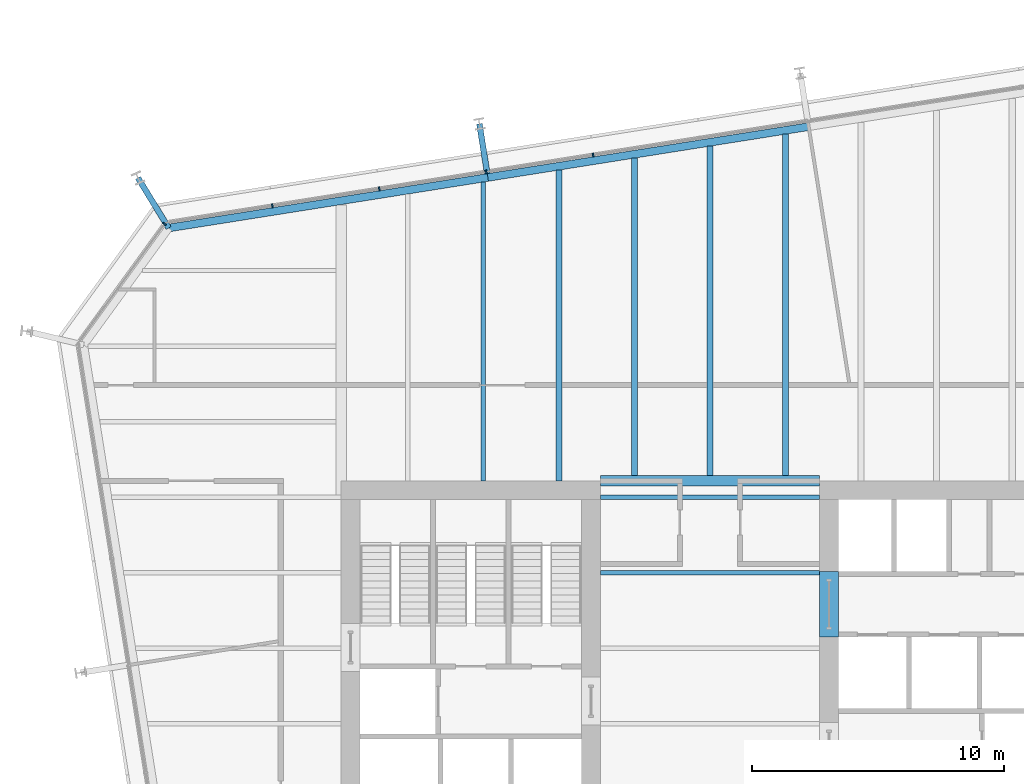
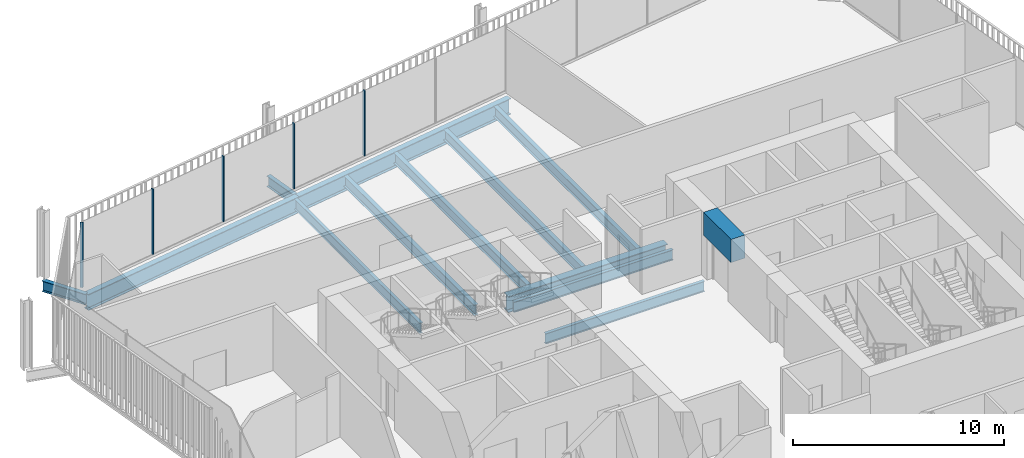
# One storey, part 11 of 21: 13 beams, 5 members, 2 elements without a shape of their own.
"""IFC4 building model written with IfcOpenShell, lengths in metres."""

from ifc_helpers import new_model, si_unit, direction, frame, origin, origin_2d, place, context, subcontext, project, spatial, rectangle, i_section, extrude, material, layer, layer_set, material_profile, profile_set, type_object, element, aggregate, save


model = new_model("IFC4")

# Units and contexts
model_context = context("Model", 3, precision=1e-05, world=origin(), true_north=direction((0.0, 1.0)))
body_context = subcontext(model_context, "Body", "Model", "MODEL_VIEW")
ifc_project = project(units=[si_unit("LENGTHUNIT", "METRE"), si_unit("AREAUNIT", "SQUARE_METRE"), si_unit("VOLUMEUNIT", "CUBIC_METRE"), si_unit("PLANEANGLEUNIT", "RADIAN"), si_unit("MASSUNIT", "GRAM", prefix="KILO")], contexts=[model_context])

# Site, building, storey
site_placement = place(None, origin())
site = spatial("IfcSite", under=ifc_project, at=site_placement, CompositionType="ELEMENT")
building_placement = place(site_placement, origin())
building = spatial("IfcBuilding", under=site, at=building_placement, Name="Millrace Tower", CompositionType="ELEMENT")
storey_placement = place(building_placement, frame((0.0, 0.0, 141.199951171875)))
storey = spatial("IfcBuildingStorey", under=building, at=storey_placement, Name="L31", CompositionType="ELEMENT", Elevation=141.199951171875)

# Curtain wall, members
ifc_material_1 = material(Name="Aluminium and glass", Category="aluminium")
ifc_layer = layer(ifc_material_1, 0.14990234375)
ifc_layer_set = layer_set([ifc_layer], Name="Aluminium and glass")
curtain_wall_type = type_object("IfcCurtainWallType", Name="CW-1 office vision curtain wall", PredefinedType="NOTDEFINED", material=ifc_layer_set)
placement = place(storey_placement, origin())
curtain_wall_1 = element("IfcCurtainWall", 1, at=placement, inside=storey, type_object=curtain_wall_type, Name="Curtain wall C-F06 L31", PredefinedType="NOTDEFINED")
ifc_material_2 = material(Name="Aluminium", Category="aluminium")
ifc_material_profile_1 = material_profile(ifc_material_2, rectangle(XDim=0.06494140625, YDim=0.14990234375, at=origin_2d()))
ifc_profile_set_1 = profile_set([ifc_material_profile_1], Name="Aluminium")
member_type = type_object("IfcMemberType", Name="CW-1 office vision curtain wall mullion", PredefinedType="MULLION", material=ifc_profile_set_1)
member_1_placement = place(storey_placement, frame((-4.6435546875, 22.59326171875, 0.14013671875), z_axis=(0.0, 0.0, 1.0), x_axis=(-0.98768833929, -0.15643447328, 0.0)))
member_1 = element("IfcMember", 2, at=member_1_placement, type_object=member_type, Name="CW1 mullion C-F06.6", PredefinedType="MULLION", context=body_context, shape_type="SweptSolid", body=[
    extrude(rectangle(XDim=0.06494140625, YDim=0.14990234375, at=origin_2d()), origin(), (0.0, 0.0, 1.0), 3.760009765625),
])
member_2_placement = place(storey_placement, frame((-8.890625, 21.920654296875, 0.14013671875), z_axis=(0.0, 0.0, 1.0), x_axis=(-0.98768833929, -0.15643447328, 0.0)))
member_2 = element("IfcMember", 3, at=member_2_placement, type_object=member_type, Name="CW1 mullion C-F06.7", PredefinedType="MULLION", context=body_context, shape_type="SweptSolid", body=[
    extrude(rectangle(XDim=0.06494140625, YDim=0.14990234375, at=origin_2d()), origin(), (0.0, 0.0, 1.0), 3.760009765625),
])
member_3_placement = place(storey_placement, frame((-13.1376953125, 21.248046875, 0.14013671875), z_axis=(0.0, 0.0, 1.0), x_axis=(-0.98768833929, -0.15643447328, 0.0)))
member_3 = element("IfcMember", 4, at=member_3_placement, type_object=member_type, Name="CW1 mullion C-F06.8", PredefinedType="MULLION", context=body_context, shape_type="SweptSolid", body=[
    extrude(rectangle(XDim=0.06494140625, YDim=0.14990234375, at=origin_2d()), origin(), (0.0, 0.0, 1.0), 3.760009765625),
])
member_4_placement = place(storey_placement, frame((-17.384765625, 20.575439453125, 0.14013671875), z_axis=(0.0, 0.0, 1.0), x_axis=(-0.98768833929, -0.15643447328, 0.0)))
member_4 = element("IfcMember", 5, at=member_4_placement, type_object=member_type, Name="CW1 mullion C-F06.9", PredefinedType="MULLION", context=body_context, shape_type="SweptSolid", body=[
    extrude(rectangle(XDim=0.06494140625, YDim=0.14990234375, at=origin_2d()), origin(), (0.0, 0.0, 1.0), 3.760009765625),
])
aggregate(curtain_wall_1, [member_1, member_2, member_3, member_4])

# Curtain wall, member
curtain_wall_2 = element("IfcCurtainWall", 6, at=placement, inside=storey, type_object=curtain_wall_type, Name="Curtain wall C-F07 L31", PredefinedType="NOTDEFINED")
member_5_placement = place(storey_placement, frame((-21.667724609375, 19.8515625, 0.14013671875), z_axis=(0.0, 0.0, 1.0), x_axis=(-0.587785269844, -0.809016981623, 0.0)))
member_5 = element("IfcMember", 7, at=member_5_placement, type_object=member_type, Name="CW1 mullion C-F07.1", PredefinedType="MULLION", context=body_context, shape_type="SweptSolid", body=[
    extrude(rectangle(XDim=0.06494140625, YDim=0.14990234375, at=origin_2d()), origin(), (0.0, 0.0, 1.0), 3.760009765625),
])
aggregate(curtain_wall_2, [member_5])

# Beams
ifc_material_3 = material(Name="Concrete C70", Category="concrete")
ifc_material_profile_2 = material_profile(ifc_material_3, rectangle(XDim=0.75, YDim=1.340087890625, at=origin_2d()))
ifc_profile_set_2 = profile_set([ifc_material_profile_2], Name="Concrete C70")
beam_type_1 = type_object("IfcBeamType", Name="Coupling beam 750 x 1340 Concrete C70, 2000 opening", PredefinedType="BEAM", material=ifc_profile_set_2)
beam_1_placement = place(storey_placement, frame((4.72509765625, 6.050048828125, 3.070068359375), z_axis=(0.0, -1.0, 0.0), x_axis=(1.0, 0.0, 0.0)))
element("IfcBeam", 8, at=beam_1_placement, inside=storey, type_object=beam_type_1, Name="Coupling beam E L31", PredefinedType="BEAM", context=body_context, shape_type="SweptSolid", body=[
    extrude(rectangle(XDim=0.75, YDim=1.340087890625, at=origin_2d()), origin(), (0.0, 0.0, 1.0), 2.60009765625),
])
ifc_material_4 = material(Name="Steel ASTM A992 Grade 50", Category="steel")
ifc_material_profile_3 = material_profile(ifc_material_4, i_section(OverallWidth=0.177978515625, OverallDepth=0.599365234375, WebThickness=0.010009765625, FlangeThickness=0.012939453125, FilletRadius=0.012939453125, at=origin_2d()))
ifc_profile_set_3 = profile_set([ifc_material_profile_3], Name="Steel ASTM A992 Grade 50")
beam_type_2 = type_object("IfcBeamType", Name="Floor beam W24x55", PredefinedType="JOIST", material=ifc_profile_set_3)
for number, where, z_axis, x_axis, name in (
    (9, (-4.35009765625, 6.0, -0.459716796875), (1.0, 0.0, 0.0), (0.0, 1.0, 0.0), "BM-C-L31-S1-S025"),
    (10, (-4.35009765625, 9.0, -0.459716796875), (1.0, 0.0, 0.0), (0.0, 1.0, 0.0), "BM-C-L31-S1-S028"),
):
    element("IfcBeam", number, at=place(storey_placement, frame(where, z_axis=z_axis, x_axis=x_axis)), inside=storey, type_object=beam_type_2, Name=name, PredefinedType="JOIST", context=body_context, shape_type="SweptSolid", body=[
        extrude(i_section(OverallWidth=0.177978515625, OverallDepth=0.599365234375, WebThickness=0.010009765625, FlangeThickness=0.012939453125, FilletRadius=0.012939453125, at=origin_2d()), origin(), (0.0, 0.0, 1.0), 8.7001953125),
    ])
ifc_material_5 = material(Name="Steel ASTM A992 Grade 50", Category="steel")
ifc_material_profile_4 = material_profile(ifc_material_5, i_section(OverallWidth=0.1787109375, OverallDepth=0.60205078125, WebThickness=0.010986328125, FlangeThickness=0.014892578125, FilletRadius=0.0126953125, at=origin_2d()))
ifc_profile_set_4 = profile_set([ifc_material_profile_4], Name="Steel ASTM A992 Grade 50")
beam_type_3 = type_object("IfcBeamType", Name="Floor beam W24x62", PredefinedType="JOIST", material=ifc_profile_set_4)
beam_2_placement = place(storey_placement, frame((-9.0, 9.64990234375, -0.4609375), z_axis=(0.0, 1.0, 0.0), x_axis=(-1.0, 0.0, 0.0)))
element("IfcBeam", 11, at=beam_2_placement, inside=storey, type_object=beam_type_3, Name="BM-C-L31-S1-S041", PredefinedType="JOIST", context=body_context, shape_type="SweptSolid", body=[
    extrude(i_section(OverallWidth=0.1787109375, OverallDepth=0.60205078125, WebThickness=0.010986328125, FlangeThickness=0.014892578125, FilletRadius=0.0126953125, at=origin_2d()), origin(), (0.0, 0.0, 1.0), 11.866455078125),
])
ifc_material_6 = material(Name="Steel ASTM A992 Grade 50", Category="steel")
ifc_material_profile_5 = material_profile(ifc_material_6, i_section(OverallWidth=0.228271484375, OverallDepth=0.607177734375, WebThickness=0.01123046875, FlangeThickness=0.017333984375, FilletRadius=0.0126953125, at=origin_2d()))
ifc_profile_set_5 = profile_set([ifc_material_profile_5], Name="Steel ASTM A992 Grade 50")
beam_type_4 = type_object("IfcBeamType", Name="Floor beam W24x76", PredefinedType="JOIST", material=ifc_profile_set_5)
beam_3_placement = place(storey_placement, frame((-6.0, 9.64990234375, -0.46337890625), z_axis=(0.0, 1.0, 0.0), x_axis=(-1.0, 0.0, 0.0)))
element("IfcBeam", 12, at=beam_3_placement, inside=storey, type_object=beam_type_4, Name="BM-C-L31-S1-S043", PredefinedType="JOIST", context=body_context, shape_type="SweptSolid", body=[
    extrude(i_section(OverallWidth=0.228271484375, OverallDepth=0.607177734375, WebThickness=0.01123046875, FlangeThickness=0.017333984375, FilletRadius=0.0126953125, at=origin_2d()), origin(), (0.0, 0.0, 1.0), 12.341552734375),
])
beam_4_placement = place(storey_placement, frame((-3.0, 9.859619140625, -0.46337890625), z_axis=(0.0, 1.0, 0.0), x_axis=(-1.0, 0.0, 0.0)))
element("IfcBeam", 13, at=beam_4_placement, inside=storey, type_object=beam_type_4, Name="BM-C-L31-S1-S045", PredefinedType="JOIST", context=body_context, shape_type="SweptSolid", body=[
    extrude(i_section(OverallWidth=0.228271484375, OverallDepth=0.607177734375, WebThickness=0.01123046875, FlangeThickness=0.017333984375, FilletRadius=0.0126953125, at=origin_2d()), origin(), (0.0, 0.0, 1.0), 12.60693359375),
])
beam_5_placement = place(storey_placement, frame((0.0, 9.859619140625, -0.46337890625), z_axis=(0.0, 1.0, 0.0), x_axis=(-1.0, 0.0, 0.0)))
element("IfcBeam", 14, at=beam_5_placement, inside=storey, type_object=beam_type_4, Name="BM-C-L31-S1-S047", PredefinedType="JOIST", context=body_context, shape_type="SweptSolid", body=[
    extrude(i_section(OverallWidth=0.228271484375, OverallDepth=0.607177734375, WebThickness=0.01123046875, FlangeThickness=0.017333984375, FilletRadius=0.0126953125, at=origin_2d()), origin(), (0.0, 0.0, 1.0), 13.08203125),
])
beam_6_placement = place(storey_placement, frame((3.0, 9.859619140625, -0.46337890625), z_axis=(0.0, 1.0, 0.0), x_axis=(-1.0, 0.0, 0.0)))
element("IfcBeam", 15, at=beam_6_placement, inside=storey, type_object=beam_type_4, Name="BM-C-L31-S1-S049", PredefinedType="JOIST", context=body_context, shape_type="SweptSolid", body=[
    extrude(i_section(OverallWidth=0.228271484375, OverallDepth=0.607177734375, WebThickness=0.01123046875, FlangeThickness=0.017333984375, FilletRadius=0.0126953125, at=origin_2d()), origin(), (0.0, 0.0, 1.0), 13.55712890625),
])
ifc_material_7 = material(Name="Steel ASTM A992 Grade 50", Category="steel")
ifc_material_profile_6 = material_profile(ifc_material_7, i_section(OverallWidth=0.419189453125, OverallDepth=0.927001953125, WebThickness=0.019287109375, FlangeThickness=0.031982421875, FilletRadius=0.024169921875, at=origin_2d()))
ifc_profile_set_6 = profile_set([ifc_material_profile_6], Name="Steel ASTM A992 Grade 50")
beam_type_5 = type_object("IfcBeamType", Name="Girder short span W36x231", PredefinedType="BEAM", material=ifc_profile_set_6)
beam_7_placement = place(storey_placement, frame((-4.35009765625, 9.64990234375, -0.62353515625), z_axis=(1.0, 0.0, 0.0), x_axis=(0.0, 1.0, 0.0)))
element("IfcBeam", 16, at=beam_7_placement, inside=storey, type_object=beam_type_5, Name="BM-C-L31-S1-G061", PredefinedType="BEAM", context=body_context, shape_type="SweptSolid", body=[
    extrude(i_section(OverallWidth=0.419189453125, OverallDepth=0.927001953125, WebThickness=0.019287109375, FlangeThickness=0.031982421875, FilletRadius=0.024169921875, at=origin_2d()), origin(), (0.0, 0.0, 1.0), 8.7001953125),
])
ifc_material_8 = material(Name="Steel ASTM A992 Grade 50", Category="steel")
ifc_material_profile_7 = material_profile(ifc_material_8, i_section(OverallWidth=0.23046875, OverallDepth=0.6171875, WebThickness=0.01318359375, FlangeThickness=0.022216796875, FilletRadius=0.012939453125, at=origin_2d()))
ifc_profile_set_7 = profile_set([ifc_material_profile_7], Name="Steel ASTM A992 Grade 50")
beam_type_6 = type_object("IfcBeamType", Name="Link beam W24x94", PredefinedType="BEAM", material=ifc_profile_set_7)
beam_8_placement = place(storey_placement, frame((-21.5009765625, 19.69189453125, -0.468505859375), z_axis=(-0.522512938711, 0.852631355792, 0.0), x_axis=(-0.852631355792, -0.522512938711, 0.0)))
element("IfcBeam", 17, at=beam_8_placement, inside=storey, type_object=beam_type_6, Name="LNK-C-L31-S1-05", PredefinedType="BEAM", context=body_context, shape_type="SweptSolid", body=[
    extrude(i_section(OverallWidth=0.23046875, OverallDepth=0.6171875, WebThickness=0.01318359375, FlangeThickness=0.022216796875, FilletRadius=0.012939453125, at=origin_2d()), origin(), (0.0, 0.0, 1.0), 2.3310546875),
])
beam_9_placement = place(storey_placement, frame((-8.8466796875, 21.8515625, -0.468505859375), z_axis=(-0.156476509441, 0.987681680499, 0.0), x_axis=(-0.987681680499, -0.156476509441, 0.0)))
element("IfcBeam", 18, at=beam_9_placement, inside=storey, type_object=beam_type_6, Name="LNK-C-L31-S1-06", PredefinedType="BEAM", context=body_context, shape_type="SweptSolid", body=[
    extrude(i_section(OverallWidth=0.23046875, OverallDepth=0.6171875, WebThickness=0.01318359375, FlangeThickness=0.022216796875, FilletRadius=0.012939453125, at=origin_2d()), origin(), (0.0, 0.0, 1.0), 2.000244140625),
])
ifc_material_9 = material(Name="Steel ASTM A992 Grade 50", Category="steel")
ifc_material_profile_8 = material_profile(ifc_material_9, i_section(OverallWidth=0.307373046875, OverallDepth=0.927001953125, WebThickness=0.01953125, FlangeThickness=0.031982421875, FilletRadius=0.01904296875, at=origin_2d()))
ifc_profile_set_8 = profile_set([ifc_material_profile_8], Name="Steel ASTM A992 Grade 50")
beam_type_7 = type_object("IfcBeamType", Name="Ring beam medium span W36x194", PredefinedType="SPANDREL", material=ifc_profile_set_8)
beam_10_placement = place(storey_placement, frame((-21.5009765625, 19.69189453125, -0.62353515625), z_axis=(0.987688058438, 0.156436246498, 0.0), x_axis=(-0.156436246498, 0.987688058438, 0.0)))
element("IfcBeam", 19, at=beam_10_placement, inside=storey, type_object=beam_type_7, Name="RNG-C-L31-S1-05", PredefinedType="SPANDREL", context=body_context, shape_type="SweptSolid", body=[
    extrude(i_section(OverallWidth=0.307373046875, OverallDepth=0.927001953125, WebThickness=0.01953125, FlangeThickness=0.031982421875, FilletRadius=0.01904296875, at=origin_2d()), origin(), (0.0, 0.0, 1.0), 12.836181640625),
])
beam_11_placement = place(storey_placement, frame((-8.82275390625, 21.699951171875, -0.62353515625), z_axis=(0.987687659758, 0.156438763615, 0.0), x_axis=(-0.156438763615, 0.987687659758, 0.0)))
element("IfcBeam", 20, at=beam_11_placement, inside=storey, type_object=beam_type_7, Name="RNG-C-L31-S1-06", PredefinedType="SPANDREL", context=body_context, shape_type="SweptSolid", body=[
    extrude(i_section(OverallWidth=0.307373046875, OverallDepth=0.927001953125, WebThickness=0.01953125, FlangeThickness=0.031982421875, FilletRadius=0.01904296875, at=origin_2d()), origin(), (0.0, 0.0, 1.0), 12.900146484375),
])

save(model, "model.ifc")
